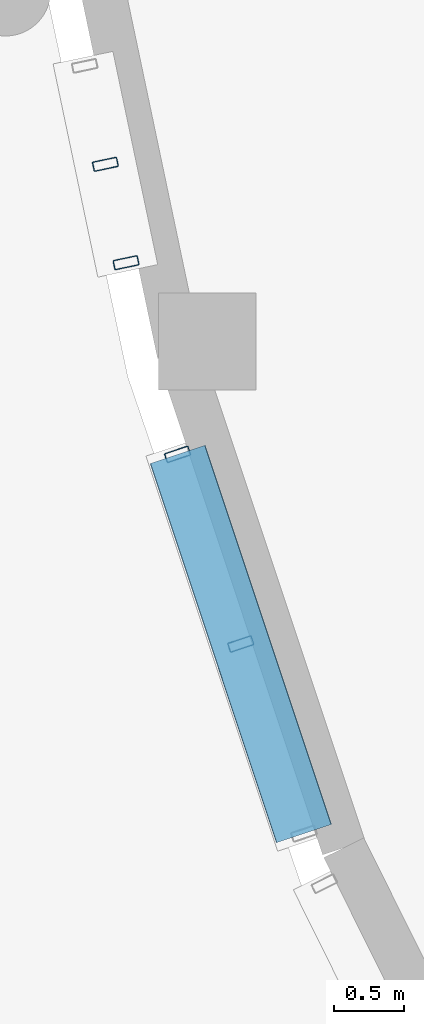
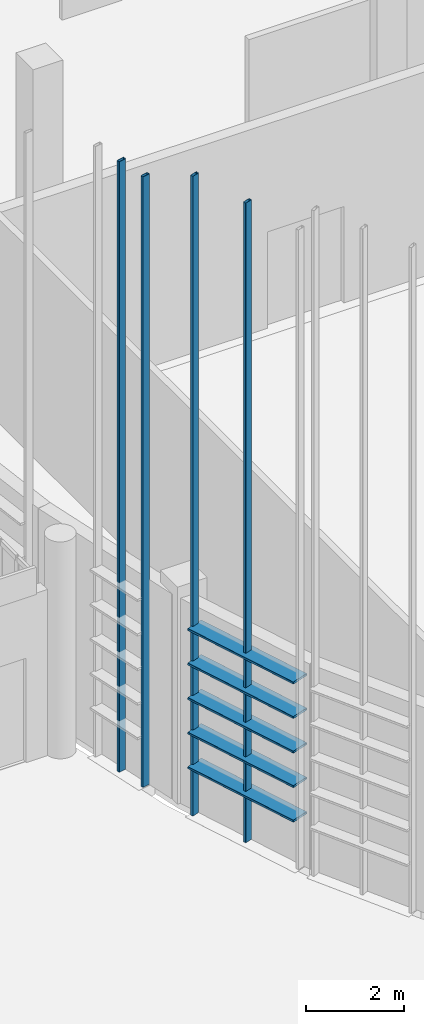
# One storey, part 221 of 372: 9 members.
"""IFC4 building model written with IfcOpenShell, lengths in metres."""

from ifc_helpers import new_model, si_unit, direction, frame, origin, origin_2d, place, context, subcontext, project, spatial, hollow_rectangle, extrude, material, material_profile, profile_set, type_object, element, save


model = new_model("IFC4")

# Units and contexts
model_context = context("Model", 3, precision=1e-05, world=origin(), true_north=direction((0.0, 1.0)))
body_context = subcontext(model_context, "Body", "Model", "MODEL_VIEW")
ifc_project = project(units=[si_unit("LENGTHUNIT", "METRE"), si_unit("AREAUNIT", "SQUARE_METRE"), si_unit("VOLUMEUNIT", "CUBIC_METRE"), si_unit("PLANEANGLEUNIT", "RADIAN"), si_unit("MASSUNIT", "GRAM", prefix="KILO")], contexts=[model_context])

# Site, building, storey
site_placement = place(None, origin())
site = spatial("IfcSite", under=ifc_project, at=site_placement, CompositionType="ELEMENT")
building_placement = place(site_placement, origin())
building = spatial("IfcBuilding", under=site, at=building_placement, Name="Kaelora Sail Theatre", CompositionType="ELEMENT")
storey_placement = place(building_placement, origin())
storey = spatial("IfcBuildingStorey", under=building, at=storey_placement, Name="L00", CompositionType="ELEMENT", Elevation=0.0)

# Members
ifc_material_1 = material(Name="Anodised aluminium 6063-T6", Category="aluminium")
ifc_material_profile_1 = material_profile(ifc_material_1, hollow_rectangle(XDim=0.419921875, YDim=0.054931640625, WallThickness=0.00390625, InnerFilletRadius=0.00390625, OuterFilletRadius=0.008056640625, at=origin_2d()), Name="LOUVRE 420x55x4")
ifc_profile_set_1 = profile_set([ifc_material_profile_1], Name="Anodised aluminium 6063-T6")
member_type_1 = type_object("IfcMemberType", Name="ARC-MEM-LVR-420", PredefinedType="USERDEFINED", material=ifc_profile_set_1)
for number, where, z_axis, x_axis, name in (
    (1, (125.146728515625, 32.63818359375, 1.25), (-0.316100406034, 0.94872574188, 0.0), (-0.94872574188, -0.316100406034, 0.0), "Black-Box and Experimental Sail Wing horizontal solar louvre C16-01"),
    (2, (125.146728515625, 32.63818359375, 2.110107421875), (-0.316100406034, 0.94872574188, 0.0), (-0.94872574188, -0.316100406034, 0.0), "Black-Box and Experimental Sail Wing horizontal solar louvre C16-02"),
    (3, (125.146728515625, 32.63818359375, 2.969970703125), (-0.316100406034, 0.94872574188, 0.0), (-0.94872574188, -0.316100406034, 0.0), "Black-Box and Experimental Sail Wing horizontal solar louvre C16-03"),
    (4, (125.146728515625, 32.63818359375, 3.830078125), (-0.316100406034, 0.94872574188, 0.0), (-0.94872574188, -0.316100406034, 0.0), "Black-Box and Experimental Sail Wing horizontal solar louvre C16-04"),
    (5, (125.146728515625, 32.63818359375, 4.68994140625), (-0.316100406034, 0.94872574188, 0.0), (-0.94872574188, -0.316100406034, 0.0), "Black-Box and Experimental Sail Wing horizontal solar louvre C16-05"),
):
    element("IfcMember", number, at=place(storey_placement, frame(where, z_axis=z_axis, x_axis=x_axis)), inside=storey, type_object=member_type_1, Name=name, ObjectType="LOUVRE", PredefinedType="USERDEFINED", context=body_context, shape_type="SweptSolid", body=[
        extrude(hollow_rectangle(XDim=0.419921875, YDim=0.054931640625, WallThickness=0.00390625, InnerFilletRadius=0.00390625, OuterFilletRadius=0.008056640625, at=origin_2d()), origin(), (0.0, 0.0, 1.0), 2.87548828125),
    ])
ifc_material_2 = material(Name="Anodised aluminium 6063-T6", Category="aluminium")
ifc_material_profile_2 = material_profile(ifc_material_2, hollow_rectangle(XDim=0.070068359375, YDim=0.179931640625, WallThickness=0.00390625, InnerFilletRadius=0.00390625, OuterFilletRadius=0.008056640625, at=origin_2d()), Name="ALU-MULL 70x180x4")
ifc_profile_set_2 = profile_set([ifc_material_profile_2], Name="Anodised aluminium 6063-T6")
member_type_2 = type_object("IfcMemberType", Name="ARC-MEM-PST-160", PredefinedType="POST", material=ifc_profile_set_2)
for number, where, z_axis, x_axis, name in (
    (6, (124.6923828125, 34.002197265625, 0.0), (0.0, 0.0, 1.0), (-0.316145823974, 0.948710608133, 0.0), "Black-Box and Experimental Sail Wing solar louvre vertical support post C16-2"),
    (7, (124.23779296875, 35.3662109375, 0.0), (0.0, 0.0, 1.0), (-0.316145823974, 0.948710608133, 0.0), "Black-Box and Experimental Sail Wing solar louvre vertical support post C16-3"),
):
    element("IfcMember", number, at=place(storey_placement, frame(where, z_axis=z_axis, x_axis=x_axis)), inside=storey, type_object=member_type_2, Name=name, PredefinedType="POST", context=body_context, shape_type="SweptSolid", body=[
        extrude(hollow_rectangle(XDim=0.070068359375, YDim=0.179931640625, WallThickness=0.00390625, InnerFilletRadius=0.00390625, OuterFilletRadius=0.008056640625, at=origin_2d()), origin(), (0.0, 0.0, 1.0), 15.92041015625),
    ])
for number, where, z_axis, x_axis, name in (
    (8, (123.8671875, 36.744384765625, 0.0), (0.0, 0.0, 1.0), (-0.205521007059, 0.978652704312, 0.0), "Black-Box and Experimental Sail Wing solar louvre vertical support post C17-1"),
    (9, (123.718505859375, 37.45263671875, 0.0), (0.0, 0.0, 1.0), (-0.205521007059, 0.978652704312, 0.0), "Black-Box and Experimental Sail Wing solar louvre vertical support post C17-2"),
):
    element("IfcMember", number, at=place(storey_placement, frame(where, z_axis=z_axis, x_axis=x_axis)), inside=storey, type_object=member_type_2, Name=name, PredefinedType="POST", context=body_context, shape_type="SweptSolid", body=[
        extrude(hollow_rectangle(XDim=0.070068359375, YDim=0.179931640625, WallThickness=0.00390625, InnerFilletRadius=0.00390625, OuterFilletRadius=0.008056640625, at=origin_2d()), origin(), (0.0, 0.0, 1.0), 15.19921875),
    ])

save(model, "model.ifc")
